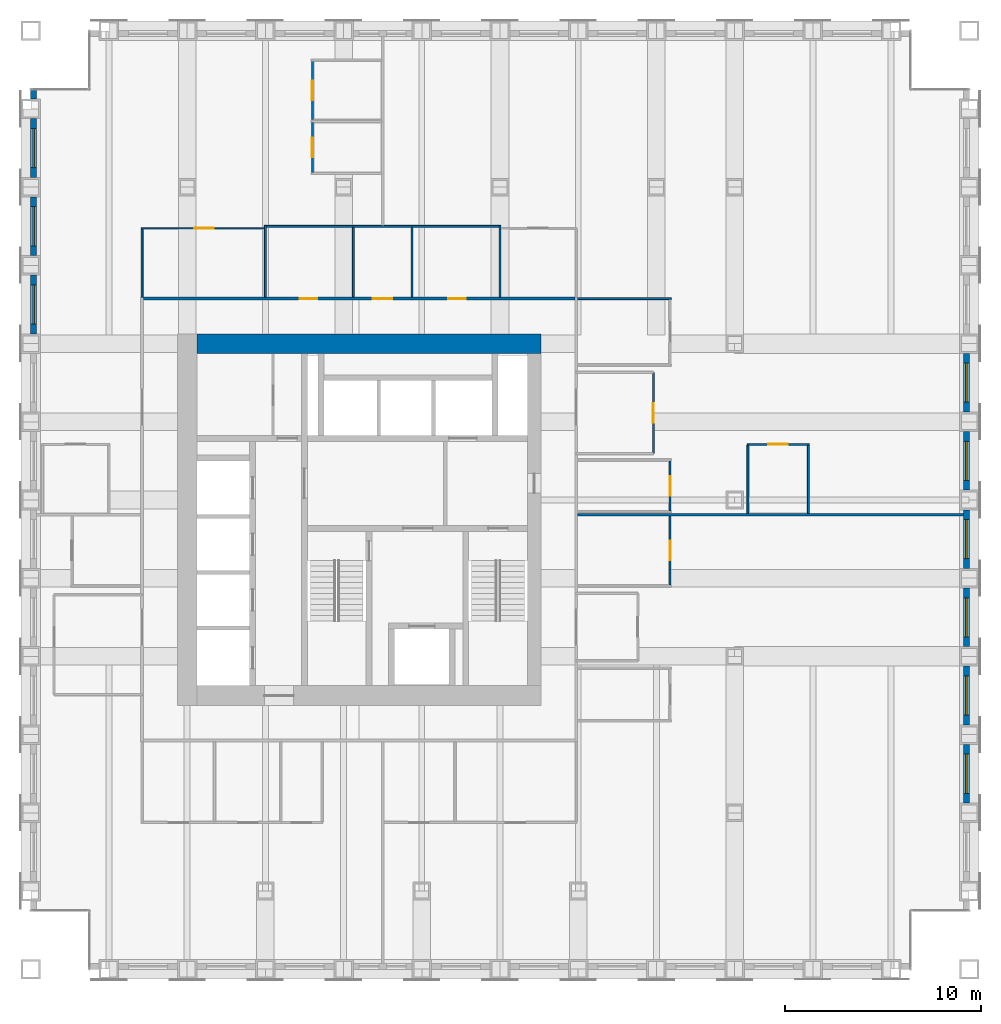
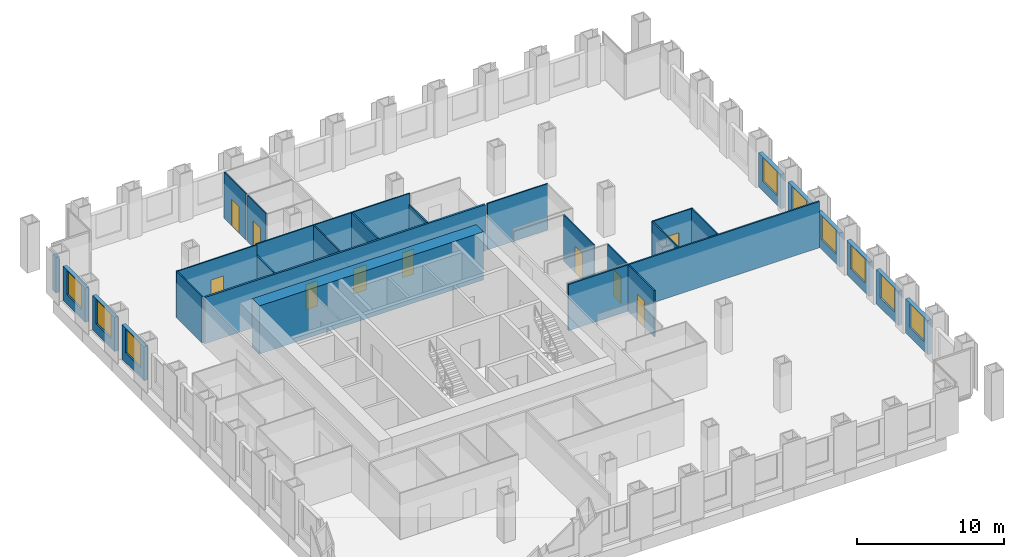
# One storey, part 13 of 16: 29 walls, 10 doors, 9 windows, 19 openings.
"""IFC4 building model written with IfcOpenShell, lengths in metres."""

from ifc_helpers import new_model, si_unit, direction, frame, frame_2d, origin, place, context, subcontext, project, spatial, rectangle, extrude, material, layer, layer_set, type_object, element, fill, save


model = new_model("IFC4")

# Units and contexts
model_context = context("Model", 3, precision=1e-05, world=origin(), true_north=direction((0.0, 1.0)))
body_context = subcontext(model_context, "Body", "Model", "MODEL_VIEW")
ifc_project = project(units=[si_unit("LENGTHUNIT", "METRE"), si_unit("AREAUNIT", "SQUARE_METRE"), si_unit("VOLUMEUNIT", "CUBIC_METRE"), si_unit("PLANEANGLEUNIT", "RADIAN"), si_unit("MASSUNIT", "GRAM", prefix="KILO")], contexts=[model_context])

# Site, building, storey
site_placement = place(None, origin())
site = spatial("IfcSite", under=ifc_project, at=site_placement, CompositionType="ELEMENT")
building_placement = place(site_placement, origin())
building = spatial("IfcBuilding", under=site, at=building_placement, Name="Rimbunsela Tower", CompositionType="ELEMENT")
storey_placement = place(building_placement, frame((0.0, 0.0, 121.39990234375)))
storey = spatial("IfcBuildingStorey", under=building, at=storey_placement, Name="L29", CompositionType="ELEMENT", Elevation=121.39990234375)

# Wall
ifc_material_1 = material(Name="Concrete fc' 80 MPa", Category="concrete")
ifc_layer_1 = layer(ifc_material_1, 1.0)
ifc_layer_set_1 = layer_set([ifc_layer_1], Name="Core wall 1000")
wall_type_1 = type_object("IfcWallType", Name="Core wall 1000", PredefinedType="SHEAR", material=ifc_layer_set_1)
wall_1_placement = place(storey_placement, frame((18.5, 36.0, -0.14990234375), z_axis=(0.0, 0.0, 1.0), x_axis=(1.0, 0.0, 0.0)))
element("IfcWall", 1, at=wall_1_placement, inside=storey, type_object=wall_type_1, Name="Core wall north", PredefinedType="SHEAR", context=body_context, shape_type="SweptSolid", body=[
    extrude(rectangle(XDim=17.60009765625, YDim=1.0, at=frame_2d((8.800048828125, 0.0))), origin(), (0.0, 0.0, 1.0), 4.0),
])

# Wall, opening, door
ifc_material_2 = material(Name="Gypsum board on steel studs", Category="steel")
ifc_layer_2 = layer(ifc_material_2, 0.10009765625)
ifc_layer_set_2 = layer_set([ifc_layer_2], Name="Office partition 100")
wall_type_2 = type_object("IfcWallType", Name="Office partition 100", PredefinedType="PARTITIONING", material=ifc_layer_set_2)
wall_2_placement = place(storey_placement, frame((46.625, 30.85009765625, 0.0), z_axis=(0.0, 0.0, 1.0), x_axis=(1.0, 0.0, 0.0)))
wall_2 = element("IfcWall", 2, at=wall_2_placement, inside=storey, type_object=wall_type_2, Name="Office partition", PredefinedType="PARTITIONING", context=body_context, shape_type="SweptSolid", body=[
    extrude(rectangle(XDim=3.199951171875, YDim=0.10009765625, at=frame_2d((1.60009765625, 0.0))), origin(), (0.0, 0.0, 1.0), 3.85009765625),
])
opening_1_placement = place(wall_2_placement, frame((1.10009765625, 0.0, 0.0)))
opening_1 = element("IfcOpeningElement", 3, at=opening_1_placement, cuts=wall_2, Name="Opening D16", PredefinedType="OPENING", context=body_context, shape_type="SweptSolid", body=[
    extrude(rectangle(XDim=1.0, YDim=2.199951171875, at=frame_2d((0.5, 1.10009765625))), frame((0.0, 0.06005859375, 0.0), z_axis=(0.0, -1.0, 0.0), x_axis=(1.0, 0.0, 0.0)), (0.0, 0.0, 1.0), 0.1201171875),
])
ifc_material_3 = material(Name="Timber door", Category="wood")
door_type_1 = type_object("IfcDoorType", Name="Office door 1000", OperationType="SINGLE_SWING_LEFT", PredefinedType="DOOR", material=ifc_material_3)
door_1_placement = place(opening_1_placement, origin())
door_1 = element("IfcDoor", 4, at=door_1_placement, inside=storey, type_object=door_type_1, Name="Office door", OperationType="SINGLE_SWING_LEFT", OverallHeight=2.199951171875, OverallWidth=1.0, PredefinedType="DOOR", context=body_context, shape_type="SweptSolid", body=[
    extrude(rectangle(XDim=1.0, YDim=2.199951171875, at=frame_2d((0.5, 1.10009765625))), frame((0.0, 0.02490234375, 0.0), z_axis=(0.0, -1.0, 0.0), x_axis=(1.0, 0.0, 0.0)), (0.0, 0.0, 1.0), 0.050048828125),
])
fill(opening_1, door_1)

# Wall
wall_3_placement = place(storey_placement, frame((37.97509765625, 38.300048828125, 0.0), z_axis=(0.0, 0.0, 1.0), x_axis=(1.0, 0.0, 0.0)))
element("IfcWall", 5, at=wall_3_placement, inside=storey, type_object=wall_type_2, Name="Office partition", PredefinedType="PARTITIONING", context=body_context, shape_type="SweptSolid", body=[
    extrude(rectangle(XDim=4.77490234375, YDim=0.10009765625, at=frame_2d((2.387451171875, 0.0))), origin(), (0.0, 0.0, 1.0), 3.85009765625),
])

# Wall, opening, door
wall_4_placement = place(storey_placement, frame((15.64990234375, 41.89990234375, 0.0), z_axis=(0.0, 0.0, 1.0), x_axis=(1.0, 0.0, 0.0)))
wall_4 = element("IfcWall", 6, at=wall_4_placement, inside=storey, type_object=wall_type_2, Name="Office partition", PredefinedType="PARTITIONING", context=body_context, shape_type="SweptSolid", body=[
    extrude(rectangle(XDim=6.300048828125, YDim=0.10009765625, at=frame_2d((3.14990234375, 0.0))), origin(), (0.0, 0.0, 1.0), 3.85009765625),
])
opening_2_placement = place(wall_4_placement, frame((2.699951171875, 0.0, 0.0)))
opening_2 = element("IfcOpeningElement", 7, at=opening_2_placement, cuts=wall_4, Name="Opening D17", PredefinedType="OPENING", context=body_context, shape_type="SweptSolid", body=[
    extrude(rectangle(XDim=1.0, YDim=2.199951171875, at=frame_2d((0.5, 1.10009765625))), frame((0.0, 0.06005859375, 0.0), z_axis=(0.0, -1.0, 0.0), x_axis=(1.0, 0.0, 0.0)), (0.0, 0.0, 1.0), 0.1201171875),
])
ifc_material_4 = material(Name="Glazed aluminium door", Category="aluminium")
door_type_2 = type_object("IfcDoorType", Name="Meeting room door 1000 glazed", OperationType="SINGLE_SWING_RIGHT", PredefinedType="DOOR", material=ifc_material_4)
door_2_placement = place(opening_2_placement, origin())
door_2 = element("IfcDoor", 8, at=door_2_placement, inside=storey, type_object=door_type_2, Name="Meeting room door", OperationType="SINGLE_SWING_RIGHT", OverallHeight=2.199951171875, OverallWidth=1.0, PredefinedType="DOOR", context=body_context, shape_type="SweptSolid", body=[
    extrude(rectangle(XDim=1.0, YDim=2.199951171875, at=frame_2d((0.5, 1.10009765625))), frame((0.0, 0.02490234375, 0.0), z_axis=(0.0, -1.0, 0.0), x_axis=(1.0, 0.0, 0.0)), (0.0, 0.0, 1.0), 0.050048828125),
])
fill(opening_2, door_2)

# Wall
wall_5_placement = place(storey_placement, frame((15.699951171875, 38.375, 0.0), z_axis=(0.0, 0.0, 1.0), x_axis=(0.0, 1.0, 0.0)))
element("IfcWall", 9, at=wall_5_placement, inside=storey, type_object=wall_type_2, Name="Office partition", PredefinedType="PARTITIONING", context=body_context, shape_type="SweptSolid", body=[
    extrude(rectangle(XDim=3.47509765625, YDim=0.10009765625, at=frame_2d((1.737548828125, 0.0))), origin(), (0.0, 0.0, 1.0), 3.85009765625),
])

# Wall, opening, door
wall_6_placement = place(storey_placement, frame((24.39990234375, 44.75, 0.0), z_axis=(0.0, 0.0, 1.0), x_axis=(0.0, 1.0, 0.0)))
wall_6 = element("IfcWall", 10, at=wall_6_placement, inside=storey, type_object=wall_type_2, Name="Office partition", PredefinedType="PARTITIONING", context=body_context, shape_type="SweptSolid", body=[
    extrude(rectangle(XDim=2.550048828125, YDim=0.10009765625, at=frame_2d((1.27490234375, 0.0))), origin(), (0.0, 0.0, 1.0), 3.85009765625),
])
opening_3_placement = place(wall_6_placement, frame((0.77490234375, 0.0, 0.0)))
opening_3 = element("IfcOpeningElement", 11, at=opening_3_placement, cuts=wall_6, Name="Opening D16", PredefinedType="OPENING", context=body_context, shape_type="SweptSolid", body=[
    extrude(rectangle(XDim=1.0, YDim=2.199951171875, at=frame_2d((0.5, 1.10009765625))), frame((0.0, 0.06005859375, 0.0), z_axis=(0.0, -1.0, 0.0), x_axis=(1.0, 0.0, 0.0)), (0.0, 0.0, 1.0), 0.1201171875),
])
door_3_placement = place(opening_3_placement, origin())
door_3 = element("IfcDoor", 12, at=door_3_placement, inside=storey, type_object=door_type_1, Name="Office door", OperationType="SINGLE_SWING_LEFT", OverallHeight=2.199951171875, OverallWidth=1.0, PredefinedType="DOOR", context=body_context, shape_type="SweptSolid", body=[
    extrude(rectangle(XDim=1.0, YDim=2.199951171875, at=frame_2d((0.5, 1.10009765625))), frame((0.0, 0.02490234375, 0.0), z_axis=(0.0, -1.0, 0.0), x_axis=(1.0, 0.0, 0.0)), (0.0, 0.0, 1.0), 0.050048828125),
])
fill(opening_3, door_3)

wall_7_placement = place(storey_placement, frame((24.39990234375, 47.449951171875, 0.0), z_axis=(0.0, 0.0, 1.0), x_axis=(0.0, 1.0, 0.0)))
wall_7 = element("IfcWall", 13, at=wall_7_placement, inside=storey, type_object=wall_type_2, Name="Office partition", PredefinedType="PARTITIONING", context=body_context, shape_type="SweptSolid", body=[
    extrude(rectangle(XDim=3.0, YDim=0.10009765625, at=frame_2d((1.5, 0.0))), origin(), (0.0, 0.0, 1.0), 3.85009765625),
])
opening_4_placement = place(wall_7_placement, frame((1.0, 0.0, 0.0)))
opening_4 = element("IfcOpeningElement", 14, at=opening_4_placement, cuts=wall_7, Name="Opening D16", PredefinedType="OPENING", context=body_context, shape_type="SweptSolid", body=[
    extrude(rectangle(XDim=1.0, YDim=2.199951171875, at=frame_2d((0.5, 1.10009765625))), frame((0.0, 0.06005859375, 0.0), z_axis=(0.0, -1.0, 0.0), x_axis=(1.0, 0.0, 0.0)), (0.0, 0.0, 1.0), 0.1201171875),
])
door_4_placement = place(opening_4_placement, origin())
door_4 = element("IfcDoor", 15, at=door_4_placement, inside=storey, type_object=door_type_1, Name="Office door", OperationType="SINGLE_SWING_LEFT", OverallHeight=2.199951171875, OverallWidth=1.0, PredefinedType="DOOR", context=body_context, shape_type="SweptSolid", body=[
    extrude(rectangle(XDim=1.0, YDim=2.199951171875, at=frame_2d((0.5, 1.10009765625))), frame((0.0, 0.02490234375, 0.0), z_axis=(0.0, -1.0, 0.0), x_axis=(1.0, 0.0, 0.0)), (0.0, 0.0, 1.0), 0.050048828125),
])
fill(opening_4, door_4)

wall_8_placement = place(storey_placement, frame((42.699951171875, 23.64892578125, 0.0), z_axis=(0.0, 0.0, 1.0), x_axis=(0.0, 1.0, 0.0)))
wall_8 = element("IfcWall", 16, at=wall_8_placement, inside=storey, type_object=wall_type_2, Name="Office partition", PredefinedType="PARTITIONING", context=body_context, shape_type="SweptSolid", body=[
    extrude(rectangle(XDim=3.5400390625, YDim=0.10009765625, at=frame_2d((1.77001953125, 0.0))), origin(), (0.0, 0.0, 1.0), 3.85009765625),
])
opening_5_placement = place(wall_8_placement, frame((1.27490234375, 0.0, 0.0)))
opening_5 = element("IfcOpeningElement", 17, at=opening_5_placement, cuts=wall_8, Name="Opening D16", PredefinedType="OPENING", context=body_context, shape_type="SweptSolid", body=[
    extrude(rectangle(XDim=1.0, YDim=2.199951171875, at=frame_2d((0.5, 1.10009765625))), frame((0.0, 0.06005859375, 0.0), z_axis=(0.0, -1.0, 0.0), x_axis=(1.0, 0.0, 0.0)), (0.0, 0.0, 1.0), 0.1201171875),
])
door_5_placement = place(opening_5_placement, origin())
door_5 = element("IfcDoor", 18, at=door_5_placement, inside=storey, type_object=door_type_1, Name="Office door", OperationType="SINGLE_SWING_LEFT", OverallHeight=2.199951171875, OverallWidth=1.0, PredefinedType="DOOR", context=body_context, shape_type="SweptSolid", body=[
    extrude(rectangle(XDim=1.0, YDim=2.199951171875, at=frame_2d((0.5, 1.10009765625))), frame((0.0, 0.02490234375, 0.0), z_axis=(0.0, -1.0, 0.0), x_axis=(1.0, 0.0, 0.0)), (0.0, 0.0, 1.0), 0.050048828125),
])
fill(opening_5, door_5)

wall_9_placement = place(storey_placement, frame((42.699951171875, 27.449951171875, 0.0), z_axis=(0.0, 0.0, 1.0), x_axis=(0.0, 1.0, 0.0)))
wall_9 = element("IfcWall", 19, at=wall_9_placement, inside=storey, type_object=wall_type_2, Name="Office partition", PredefinedType="PARTITIONING", context=body_context, shape_type="SweptSolid", body=[
    extrude(rectangle(XDim=2.550048828125, YDim=0.10009765625, at=frame_2d((1.27490234375, 0.0))), origin(), (0.0, 0.0, 1.0), 3.85009765625),
])
opening_6_placement = place(wall_9_placement, frame((0.77490234375, 0.0, 0.0)))
opening_6 = element("IfcOpeningElement", 20, at=opening_6_placement, cuts=wall_9, Name="Opening D16", PredefinedType="OPENING", context=body_context, shape_type="SweptSolid", body=[
    extrude(rectangle(XDim=1.0, YDim=2.199951171875, at=frame_2d((0.5, 1.10009765625))), frame((0.0, 0.06005859375, 0.0), z_axis=(0.0, -1.0, 0.0), x_axis=(1.0, 0.0, 0.0)), (0.0, 0.0, 1.0), 0.1201171875),
])
door_6_placement = place(opening_6_placement, origin())
door_6 = element("IfcDoor", 21, at=door_6_placement, inside=storey, type_object=door_type_1, Name="Office door", OperationType="SINGLE_SWING_LEFT", OverallHeight=2.199951171875, OverallWidth=1.0, PredefinedType="DOOR", context=body_context, shape_type="SweptSolid", body=[
    extrude(rectangle(XDim=1.0, YDim=2.199951171875, at=frame_2d((0.5, 1.10009765625))), frame((0.0, 0.02490234375, 0.0), z_axis=(0.0, -1.0, 0.0), x_axis=(1.0, 0.0, 0.0)), (0.0, 0.0, 1.0), 0.050048828125),
])
fill(opening_6, door_6)

# Walls
for number, where, z_axis, x_axis, name in (
    (22, (46.675048828125, 27.31005859375, 0.0), (0.0, 0.0, 1.0), (0.0, 1.0, 0.0), "Office partition"),
    (23, (49.77490234375, 27.31005859375, 0.0), (0.0, 0.0, 1.0), (0.0, 1.0, 0.0), "Office partition"),
):
    element("IfcWall", number, at=place(storey_placement, frame(where, z_axis=z_axis, x_axis=x_axis)), inside=storey, type_object=wall_type_2, Name=name, PredefinedType="PARTITIONING", context=body_context, shape_type="SweptSolid", body=[
        extrude(rectangle(XDim=3.489990234375, YDim=0.10009765625, at=frame_2d((1.7451171875, 0.0))), origin(), (0.0, 0.0, 1.0), 3.85009765625),
    ])

# Wall, opening, door
wall_10_placement = place(storey_placement, frame((41.85009765625, 30.3759765625, 0.0), z_axis=(0.0, 0.0, 1.0), x_axis=(0.0, 1.0, 0.0)))
wall_10 = element("IfcWall", 24, at=wall_10_placement, inside=storey, type_object=wall_type_2, Name="Office partition", PredefinedType="PARTITIONING", context=body_context, shape_type="SweptSolid", body=[
    extrude(rectangle(XDim=4.14990234375, YDim=0.10009765625, at=frame_2d((2.074951171875, 0.0))), origin(), (0.0, 0.0, 1.0), 3.85009765625),
])
opening_7_placement = place(wall_10_placement, frame((1.574951171875, 0.0, 0.0)))
opening_7 = element("IfcOpeningElement", 25, at=opening_7_placement, cuts=wall_10, Name="Opening D17", PredefinedType="OPENING", context=body_context, shape_type="SweptSolid", body=[
    extrude(rectangle(XDim=1.0, YDim=2.199951171875, at=frame_2d((0.5, 1.10009765625))), frame((0.0, 0.06005859375, 0.0), z_axis=(0.0, -1.0, 0.0), x_axis=(1.0, 0.0, 0.0)), (0.0, 0.0, 1.0), 0.1201171875),
])
door_7_placement = place(opening_7_placement, origin())
door_7 = element("IfcDoor", 26, at=door_7_placement, inside=storey, type_object=door_type_2, Name="Reception door", OperationType="SINGLE_SWING_RIGHT", OverallHeight=2.199951171875, OverallWidth=1.0, PredefinedType="DOOR", context=body_context, shape_type="SweptSolid", body=[
    extrude(rectangle(XDim=1.0, YDim=2.199951171875, at=frame_2d((0.5, 1.10009765625))), frame((0.0, 0.02490234375, 0.0), z_axis=(0.0, -1.0, 0.0), x_axis=(1.0, 0.0, 0.0)), (0.0, 0.0, 1.0), 0.050048828125),
])
fill(opening_7, door_7)

# Wall, opening, window
ifc_material_5 = material(Name="Precast concrete fc' 35 MPa", Category="concrete")
ifc_layer_3 = layer(ifc_material_5, 0.300048828125)
ifc_layer_set_3 = layer_set([ifc_layer_3], Name="Precast concrete fc' 35 MPa")
wall_type_3 = type_object("IfcWallType", Name="Precast facade panel 300", PredefinedType="ELEMENTEDWALL", material=ifc_layer_set_3)
wall_11_placement = place(storey_placement, frame((57.85009765625, 12.5, 0.0), z_axis=(0.0, 0.0, 1.0), x_axis=(0.0, 1.0, 0.0)))
wall_11 = element("IfcWall", 27, at=wall_11_placement, inside=storey, type_object=wall_type_3, Name="Facade panel E L29", PredefinedType="ELEMENTEDWALL", context=body_context, shape_type="SweptSolid", body=[
    extrude(rectangle(XDim=3.0, YDim=0.300048828125, at=frame_2d((1.5, 0.0))), origin(), (0.0, 0.0, 1.0), 2.85009765625),
])
opening_8_placement = place(wall_11_placement, frame((0.5, 0.0, 0.800048828125)))
opening_8 = element("IfcOpeningElement", 28, at=opening_8_placement, cuts=wall_11, Name="Opening W1", PredefinedType="OPENING", context=body_context, shape_type="SweptSolid", body=[
    extrude(rectangle(XDim=2.0, YDim=2.0, at=frame_2d((1.0, 1.0))), frame((0.0, 0.159912109375, 0.0), z_axis=(0.0, -1.0, 0.0), x_axis=(1.0, 0.0, 0.0)), (0.0, 0.0, 1.0), 0.320068359375),
])
ifc_material_6 = material(Name="Clear glass in aluminium frame", Category="aluminium")
window_type = type_object("IfcWindowType", Name="Window W1 2000x2000", PartitioningType="DOUBLE_PANEL_VERTICAL", PredefinedType="WINDOW", material=ifc_material_6)
window_1_placement = place(opening_8_placement, origin())
window_1 = element("IfcWindow", 29, at=window_1_placement, inside=storey, type_object=window_type, Name="Window L29", OverallHeight=2.0, OverallWidth=2.0, PartitioningType="SINGLE_PANEL", PredefinedType="WINDOW", context=body_context, shape_type="SweptSolid", body=[
    extrude(rectangle(XDim=2.0, YDim=2.0, at=frame_2d((1.0, 1.0))), frame((0.0, 0.030029296875, 0.0), z_axis=(0.0, -1.0, 0.0), x_axis=(1.0, 0.0, 0.0)), (0.0, 0.0, 1.0), 0.06005859375),
])
fill(opening_8, window_1)

wall_12_placement = place(storey_placement, frame((57.85009765625, 16.5, 0.0), z_axis=(0.0, 0.0, 1.0), x_axis=(0.0, 1.0, 0.0)))
wall_12 = element("IfcWall", 30, at=wall_12_placement, inside=storey, type_object=wall_type_3, Name="Facade panel E L29", PredefinedType="ELEMENTEDWALL", context=body_context, shape_type="SweptSolid", body=[
    extrude(rectangle(XDim=3.0, YDim=0.300048828125, at=frame_2d((1.5, 0.0))), origin(), (0.0, 0.0, 1.0), 2.85009765625),
])
opening_9_placement = place(wall_12_placement, frame((0.5, 0.0, 0.800048828125)))
opening_9 = element("IfcOpeningElement", 31, at=opening_9_placement, cuts=wall_12, Name="Opening W1", PredefinedType="OPENING", context=body_context, shape_type="SweptSolid", body=[
    extrude(rectangle(XDim=2.0, YDim=2.0, at=frame_2d((1.0, 1.0))), frame((0.0, 0.159912109375, 0.0), z_axis=(0.0, -1.0, 0.0), x_axis=(1.0, 0.0, 0.0)), (0.0, 0.0, 1.0), 0.320068359375),
])
window_2_placement = place(opening_9_placement, origin())
window_2 = element("IfcWindow", 32, at=window_2_placement, inside=storey, type_object=window_type, Name="Window L29", OverallHeight=2.0, OverallWidth=2.0, PartitioningType="SINGLE_PANEL", PredefinedType="WINDOW", context=body_context, shape_type="SweptSolid", body=[
    extrude(rectangle(XDim=2.0, YDim=2.0, at=frame_2d((1.0, 1.0))), frame((0.0, 0.030029296875, 0.0), z_axis=(0.0, -1.0, 0.0), x_axis=(1.0, 0.0, 0.0)), (0.0, 0.0, 1.0), 0.06005859375),
])
fill(opening_9, window_2)

wall_13_placement = place(storey_placement, frame((57.85009765625, 20.5, 0.0), z_axis=(0.0, 0.0, 1.0), x_axis=(0.0, 1.0, 0.0)))
wall_13 = element("IfcWall", 33, at=wall_13_placement, inside=storey, type_object=wall_type_3, Name="Facade panel E L29", PredefinedType="ELEMENTEDWALL", context=body_context, shape_type="SweptSolid", body=[
    extrude(rectangle(XDim=3.0, YDim=0.300048828125, at=frame_2d((1.5, 0.0))), origin(), (0.0, 0.0, 1.0), 2.85009765625),
])
opening_10_placement = place(wall_13_placement, frame((0.5, 0.0, 0.800048828125)))
opening_10 = element("IfcOpeningElement", 34, at=opening_10_placement, cuts=wall_13, Name="Opening W1", PredefinedType="OPENING", context=body_context, shape_type="SweptSolid", body=[
    extrude(rectangle(XDim=2.0, YDim=2.0, at=frame_2d((1.0, 1.0))), frame((0.0, 0.159912109375, 0.0), z_axis=(0.0, -1.0, 0.0), x_axis=(1.0, 0.0, 0.0)), (0.0, 0.0, 1.0), 0.320068359375),
])
window_3_placement = place(opening_10_placement, origin())
window_3 = element("IfcWindow", 35, at=window_3_placement, inside=storey, type_object=window_type, Name="Window L29", OverallHeight=2.0, OverallWidth=2.0, PartitioningType="SINGLE_PANEL", PredefinedType="WINDOW", context=body_context, shape_type="SweptSolid", body=[
    extrude(rectangle(XDim=2.0, YDim=2.0, at=frame_2d((1.0, 1.0))), frame((0.0, 0.030029296875, 0.0), z_axis=(0.0, -1.0, 0.0), x_axis=(1.0, 0.0, 0.0)), (0.0, 0.0, 1.0), 0.06005859375),
])
fill(opening_10, window_3)

wall_14_placement = place(storey_placement, frame((57.85009765625, 24.5, 0.0), z_axis=(0.0, 0.0, 1.0), x_axis=(0.0, 1.0, 0.0)))
wall_14 = element("IfcWall", 36, at=wall_14_placement, inside=storey, type_object=wall_type_3, Name="Facade panel E L29", PredefinedType="ELEMENTEDWALL", context=body_context, shape_type="SweptSolid", body=[
    extrude(rectangle(XDim=3.0, YDim=0.300048828125, at=frame_2d((1.5, 0.0))), origin(), (0.0, 0.0, 1.0), 2.85009765625),
])
opening_11_placement = place(wall_14_placement, frame((0.5, 0.0, 0.800048828125)))
opening_11 = element("IfcOpeningElement", 37, at=opening_11_placement, cuts=wall_14, Name="Opening W1", PredefinedType="OPENING", context=body_context, shape_type="SweptSolid", body=[
    extrude(rectangle(XDim=2.0, YDim=2.0, at=frame_2d((1.0, 1.0))), frame((0.0, 0.159912109375, 0.0), z_axis=(0.0, -1.0, 0.0), x_axis=(1.0, 0.0, 0.0)), (0.0, 0.0, 1.0), 0.320068359375),
])
window_4_placement = place(opening_11_placement, origin())
window_4 = element("IfcWindow", 38, at=window_4_placement, inside=storey, type_object=window_type, Name="Window L29", OverallHeight=2.0, OverallWidth=2.0, PartitioningType="SINGLE_PANEL", PredefinedType="WINDOW", context=body_context, shape_type="SweptSolid", body=[
    extrude(rectangle(XDim=2.0, YDim=2.0, at=frame_2d((1.0, 1.0))), frame((0.0, 0.030029296875, 0.0), z_axis=(0.0, -1.0, 0.0), x_axis=(1.0, 0.0, 0.0)), (0.0, 0.0, 1.0), 0.06005859375),
])
fill(opening_11, window_4)

wall_15_placement = place(storey_placement, frame((57.85009765625, 28.5, 0.0), z_axis=(0.0, 0.0, 1.0), x_axis=(0.0, 1.0, 0.0)))
wall_15 = element("IfcWall", 39, at=wall_15_placement, inside=storey, type_object=wall_type_3, Name="Facade panel E L29", PredefinedType="ELEMENTEDWALL", context=body_context, shape_type="SweptSolid", body=[
    extrude(rectangle(XDim=3.0, YDim=0.300048828125, at=frame_2d((1.5, 0.0))), origin(), (0.0, 0.0, 1.0), 2.85009765625),
])
opening_12_placement = place(wall_15_placement, frame((0.5, 0.0, 0.800048828125)))
opening_12 = element("IfcOpeningElement", 40, at=opening_12_placement, cuts=wall_15, Name="Opening W1", PredefinedType="OPENING", context=body_context, shape_type="SweptSolid", body=[
    extrude(rectangle(XDim=2.0, YDim=2.0, at=frame_2d((1.0, 1.0))), frame((0.0, 0.159912109375, 0.0), z_axis=(0.0, -1.0, 0.0), x_axis=(1.0, 0.0, 0.0)), (0.0, 0.0, 1.0), 0.320068359375),
])
window_5_placement = place(opening_12_placement, origin())
window_5 = element("IfcWindow", 41, at=window_5_placement, inside=storey, type_object=window_type, Name="Window L29", OverallHeight=2.0, OverallWidth=2.0, PartitioningType="SINGLE_PANEL", PredefinedType="WINDOW", context=body_context, shape_type="SweptSolid", body=[
    extrude(rectangle(XDim=2.0, YDim=2.0, at=frame_2d((1.0, 1.0))), frame((0.0, 0.030029296875, 0.0), z_axis=(0.0, -1.0, 0.0), x_axis=(1.0, 0.0, 0.0)), (0.0, 0.0, 1.0), 0.06005859375),
])
fill(opening_12, window_5)

wall_16_placement = place(storey_placement, frame((57.85009765625, 32.5, 0.0), z_axis=(0.0, 0.0, 1.0), x_axis=(0.0, 1.0, 0.0)))
wall_16 = element("IfcWall", 42, at=wall_16_placement, inside=storey, type_object=wall_type_3, Name="Facade panel E L29", PredefinedType="ELEMENTEDWALL", context=body_context, shape_type="SweptSolid", body=[
    extrude(rectangle(XDim=3.0, YDim=0.300048828125, at=frame_2d((1.5, 0.0))), origin(), (0.0, 0.0, 1.0), 2.85009765625),
])
opening_13_placement = place(wall_16_placement, frame((0.5, 0.0, 0.800048828125)))
opening_13 = element("IfcOpeningElement", 43, at=opening_13_placement, cuts=wall_16, Name="Opening W1", PredefinedType="OPENING", context=body_context, shape_type="SweptSolid", body=[
    extrude(rectangle(XDim=2.0, YDim=2.0, at=frame_2d((1.0, 1.0))), frame((0.0, 0.159912109375, 0.0), z_axis=(0.0, -1.0, 0.0), x_axis=(1.0, 0.0, 0.0)), (0.0, 0.0, 1.0), 0.320068359375),
])
window_6_placement = place(opening_13_placement, origin())
window_6 = element("IfcWindow", 44, at=window_6_placement, inside=storey, type_object=window_type, Name="Window L29", OverallHeight=2.0, OverallWidth=2.0, PartitioningType="SINGLE_PANEL", PredefinedType="WINDOW", context=body_context, shape_type="SweptSolid", body=[
    extrude(rectangle(XDim=2.0, YDim=2.0, at=frame_2d((1.0, 1.0))), frame((0.0, 0.030029296875, 0.0), z_axis=(0.0, -1.0, 0.0), x_axis=(1.0, 0.0, 0.0)), (0.0, 0.0, 1.0), 0.06005859375),
])
fill(opening_13, window_6)

wall_17_placement = place(storey_placement, frame((10.14990234375, 39.5, 0.0), z_axis=(0.0, 0.0, 1.0), x_axis=(0.0, -1.0, 0.0)))
wall_17 = element("IfcWall", 45, at=wall_17_placement, inside=storey, type_object=wall_type_3, Name="Facade panel W L29", PredefinedType="ELEMENTEDWALL", context=body_context, shape_type="SweptSolid", body=[
    extrude(rectangle(XDim=3.0, YDim=0.300048828125, at=frame_2d((1.5, 0.0))), origin(), (0.0, 0.0, 1.0), 2.85009765625),
])
opening_14_placement = place(wall_17_placement, frame((0.5, 0.0, 0.800048828125)))
opening_14 = element("IfcOpeningElement", 46, at=opening_14_placement, cuts=wall_17, Name="Opening W1", PredefinedType="OPENING", context=body_context, shape_type="SweptSolid", body=[
    extrude(rectangle(XDim=2.0, YDim=2.0, at=frame_2d((1.0, 1.0))), frame((0.0, 0.159912109375, 0.0), z_axis=(0.0, -1.0, 0.0), x_axis=(1.0, 0.0, 0.0)), (0.0, 0.0, 1.0), 0.320068359375),
])
window_7_placement = place(opening_14_placement, origin())
window_7 = element("IfcWindow", 47, at=window_7_placement, inside=storey, type_object=window_type, Name="Window L29", OverallHeight=2.0, OverallWidth=2.0, PartitioningType="SINGLE_PANEL", PredefinedType="WINDOW", context=body_context, shape_type="SweptSolid", body=[
    extrude(rectangle(XDim=2.0, YDim=2.0, at=frame_2d((1.0, 1.0))), frame((0.0, 0.030029296875, 0.0), z_axis=(0.0, -1.0, 0.0), x_axis=(1.0, 0.0, 0.0)), (0.0, 0.0, 1.0), 0.06005859375),
])
fill(opening_14, window_7)

wall_18_placement = place(storey_placement, frame((10.14990234375, 43.5, 0.0), z_axis=(0.0, 0.0, 1.0), x_axis=(0.0, -1.0, 0.0)))
wall_18 = element("IfcWall", 48, at=wall_18_placement, inside=storey, type_object=wall_type_3, Name="Facade panel W L29", PredefinedType="ELEMENTEDWALL", context=body_context, shape_type="SweptSolid", body=[
    extrude(rectangle(XDim=3.0, YDim=0.300048828125, at=frame_2d((1.5, 0.0))), origin(), (0.0, 0.0, 1.0), 2.85009765625),
])
opening_15_placement = place(wall_18_placement, frame((0.5, 0.0, 0.800048828125)))
opening_15 = element("IfcOpeningElement", 49, at=opening_15_placement, cuts=wall_18, Name="Opening W1", PredefinedType="OPENING", context=body_context, shape_type="SweptSolid", body=[
    extrude(rectangle(XDim=2.0, YDim=2.0, at=frame_2d((1.0, 1.0))), frame((0.0, 0.159912109375, 0.0), z_axis=(0.0, -1.0, 0.0), x_axis=(1.0, 0.0, 0.0)), (0.0, 0.0, 1.0), 0.320068359375),
])
window_8_placement = place(opening_15_placement, origin())
window_8 = element("IfcWindow", 50, at=window_8_placement, inside=storey, type_object=window_type, Name="Window L29", OverallHeight=2.0, OverallWidth=2.0, PartitioningType="SINGLE_PANEL", PredefinedType="WINDOW", context=body_context, shape_type="SweptSolid", body=[
    extrude(rectangle(XDim=2.0, YDim=2.0, at=frame_2d((1.0, 1.0))), frame((0.0, 0.030029296875, 0.0), z_axis=(0.0, -1.0, 0.0), x_axis=(1.0, 0.0, 0.0)), (0.0, 0.0, 1.0), 0.06005859375),
])
fill(opening_15, window_8)

wall_19_placement = place(storey_placement, frame((10.14990234375, 47.5, 0.0), z_axis=(0.0, 0.0, 1.0), x_axis=(0.0, -1.0, 0.0)))
wall_19 = element("IfcWall", 51, at=wall_19_placement, inside=storey, type_object=wall_type_3, Name="Facade panel W L29", PredefinedType="ELEMENTEDWALL", context=body_context, shape_type="SweptSolid", body=[
    extrude(rectangle(XDim=3.0, YDim=0.300048828125, at=frame_2d((1.5, 0.0))), origin(), (0.0, 0.0, 1.0), 2.85009765625),
])
opening_16_placement = place(wall_19_placement, frame((0.5, 0.0, 0.800048828125)))
opening_16 = element("IfcOpeningElement", 52, at=opening_16_placement, cuts=wall_19, Name="Opening W1", PredefinedType="OPENING", context=body_context, shape_type="SweptSolid", body=[
    extrude(rectangle(XDim=2.0, YDim=2.0, at=frame_2d((1.0, 1.0))), frame((0.0, 0.159912109375, 0.0), z_axis=(0.0, -1.0, 0.0), x_axis=(1.0, 0.0, 0.0)), (0.0, 0.0, 1.0), 0.320068359375),
])
window_9_placement = place(opening_16_placement, origin())
window_9 = element("IfcWindow", 53, at=window_9_placement, inside=storey, type_object=window_type, Name="Window L29", OverallHeight=2.0, OverallWidth=2.0, PartitioningType="SINGLE_PANEL", PredefinedType="WINDOW", context=body_context, shape_type="SweptSolid", body=[
    extrude(rectangle(XDim=2.0, YDim=2.0, at=frame_2d((1.0, 1.0))), frame((0.0, 0.030029296875, 0.0), z_axis=(0.0, -1.0, 0.0), x_axis=(1.0, 0.0, 0.0)), (0.0, 0.0, 1.0), 0.06005859375),
])
fill(opening_16, window_9)

# Wall
wall_20_placement = place(storey_placement, frame((10.14990234375, 48.969970703125, 0.0), z_axis=(0.0, 0.0, 1.0), x_axis=(0.0, -1.0, 0.0)))
element("IfcWall", 54, at=wall_20_placement, inside=storey, type_object=wall_type_3, Name="Facade panel W L29", PredefinedType="ELEMENTEDWALL", context=body_context, shape_type="SweptSolid", body=[
    extrude(rectangle(XDim=0.469970703125, YDim=0.300048828125, at=frame_2d((0.23486328125, 0.0))), origin(), (0.0, 0.0, 1.0), 2.9501953125),
])

# Wall, openings, doors
ifc_material_7 = material(Name="Fire-rated gypsum board on steel studs, EI 60", Category="steel")
ifc_layer_4 = layer(ifc_material_7, 0.14990234375)
ifc_layer_set_4 = layer_set([ifc_layer_4], Name="Rated corridor wall 150")
wall_type_4 = type_object("IfcWallType", Name="Rated corridor wall 150", PredefinedType="PARTITIONING", material=ifc_layer_set_4)
wall_21_placement = place(storey_placement, frame((15.77490234375, 38.300048828125, 0.0), z_axis=(0.0, 0.0, 1.0), x_axis=(1.0, 0.0, 0.0)))
wall_21 = element("IfcWall", 55, at=wall_21_placement, inside=storey, type_object=wall_type_4, Name="Corridor wall north", PredefinedType="PARTITIONING", context=body_context, shape_type="SweptSolid", body=[
    extrude(rectangle(XDim=22.050048828125, YDim=0.14990234375, at=frame_2d((11.02490234375, 0.0))), origin(), (0.0, 0.0, 1.0), 3.85009765625),
])
opening_17_placement = place(wall_21_placement, frame((7.97509765625, 0.0, 0.0)))
opening_17 = element("IfcOpeningElement", 56, at=opening_17_placement, cuts=wall_21, Name="Opening D04", PredefinedType="OPENING", context=body_context, shape_type="SweptSolid", body=[
    extrude(rectangle(XDim=0.89990234375, YDim=2.10009765625, at=frame_2d((0.449951171875, 1.050048828125))), frame((0.0, 0.0849609375, 0.0), z_axis=(0.0, -1.0, 0.0), x_axis=(1.0, 0.0, 0.0)), (0.0, 0.0, 1.0), 0.169921875),
])
opening_18_placement = place(wall_21_placement, frame((11.72509765625, 0.0, 0.0)))
opening_18 = element("IfcOpeningElement", 57, at=opening_18_placement, cuts=wall_21, Name="Opening D05", PredefinedType="OPENING", context=body_context, shape_type="SweptSolid", body=[
    extrude(rectangle(XDim=1.0, YDim=2.10009765625, at=frame_2d((0.5, 1.050048828125))), frame((0.0, 0.0849609375, 0.0), z_axis=(0.0, -1.0, 0.0), x_axis=(1.0, 0.0, 0.0)), (0.0, 0.0, 1.0), 0.169921875),
])
opening_19_placement = place(wall_21_placement, frame((15.574951171875, 0.0, 0.0)))
opening_19 = element("IfcOpeningElement", 58, at=opening_19_placement, cuts=wall_21, Name="Opening D04", PredefinedType="OPENING", context=body_context, shape_type="SweptSolid", body=[
    extrude(rectangle(XDim=0.89990234375, YDim=2.10009765625, at=frame_2d((0.449951171875, 1.050048828125))), frame((0.0, 0.0849609375, 0.0), z_axis=(0.0, -1.0, 0.0), x_axis=(1.0, 0.0, 0.0)), (0.0, 0.0, 1.0), 0.169921875),
])
ifc_material_8 = material(Name="Timber door", Category="wood")
door_type_3 = type_object("IfcDoorType", Name="Accessible WC door 1000", OperationType="SLIDING_TO_LEFT", PredefinedType="DOOR", material=ifc_material_8)
door_8_placement = place(opening_18_placement, origin())
door_8 = element("IfcDoor", 59, at=door_8_placement, inside=storey, type_object=door_type_3, Name="Accessible WC door", OperationType="SLIDING_TO_LEFT", OverallHeight=2.10009765625, OverallWidth=1.0, PredefinedType="DOOR", context=body_context, shape_type="SweptSolid", body=[
    extrude(rectangle(XDim=1.0, YDim=2.10009765625, at=frame_2d((0.5, 1.050048828125))), frame((0.0, 0.02490234375, 0.0), z_axis=(0.0, -1.0, 0.0), x_axis=(1.0, 0.0, 0.0)), (0.0, 0.0, 1.0), 0.050048828125),
])
fill(opening_18, door_8)
ifc_material_9 = material(Name="Timber door", Category="wood")
door_type_4 = type_object("IfcDoorType", Name="Toilet door 900", OperationType="SINGLE_SWING_LEFT", PredefinedType="DOOR", material=ifc_material_9)
door_9_placement = place(opening_17_placement, origin())
door_9 = element("IfcDoor", 60, at=door_9_placement, inside=storey, type_object=door_type_4, Name="Female WC door", OperationType="SINGLE_SWING_LEFT", OverallHeight=2.10009765625, OverallWidth=0.89990234375, PredefinedType="DOOR", context=body_context, shape_type="SweptSolid", body=[
    extrude(rectangle(XDim=0.89990234375, YDim=2.10009765625, at=frame_2d((0.449951171875, 1.050048828125))), frame((0.0, 0.02490234375, 0.0), z_axis=(0.0, -1.0, 0.0), x_axis=(1.0, 0.0, 0.0)), (0.0, 0.0, 1.0), 0.050048828125),
])
fill(opening_17, door_9)
door_10_placement = place(opening_19_placement, origin())
door_10 = element("IfcDoor", 61, at=door_10_placement, inside=storey, type_object=door_type_4, Name="Male WC door", OperationType="SINGLE_SWING_LEFT", OverallHeight=2.10009765625, OverallWidth=0.89990234375, PredefinedType="DOOR", context=body_context, shape_type="SweptSolid", body=[
    extrude(rectangle(XDim=0.89990234375, YDim=2.10009765625, at=frame_2d((0.449951171875, 1.050048828125))), frame((0.0, 0.02490234375, 0.0), z_axis=(0.0, -1.0, 0.0), x_axis=(1.0, 0.0, 0.0)), (0.0, 0.0, 1.0), 0.050048828125),
])
fill(opening_19, door_10)

# Walls
ifc_material_10 = material(Name="Gypsum board on steel studs", Category="steel")
ifc_layer_5 = layer(ifc_material_10, 0.1201171875)
ifc_layer_set_5 = layer_set([ifc_layer_5], Name="Tenancy partition 120")
wall_type_5 = type_object("IfcWallType", Name="Tenancy partition 120", PredefinedType="PARTITIONING", material=ifc_layer_set_5)
wall_22_placement = place(storey_placement, frame((37.97509765625, 27.25, 0.0), z_axis=(0.0, 0.0, 1.0), x_axis=(1.0, 0.0, 0.0)))
element("IfcWall", 62, at=wall_22_placement, inside=storey, type_object=wall_type_5, Name="Tenancy partition", PredefinedType="PARTITIONING", context=body_context, shape_type="SweptSolid", body=[
    extrude(rectangle(XDim=19.724853515625, YDim=0.1201171875, at=frame_2d((9.8623046875, 0.0))), origin(), (0.0, 0.0, 1.0), 3.85009765625),
])
ifc_material_11 = material(Name="Concrete blockwork", Category="masonry")
ifc_layer_6 = layer(ifc_material_11, 0.10009765625)
ifc_layer_set_6 = layer_set([ifc_layer_6], Name="Toilet partition 100")
wall_type_6 = type_object("IfcWallType", Name="Toilet partition 100", PredefinedType="PARTITIONING", material=ifc_layer_set_6)
for number, where, z_axis, x_axis, name in (
    (63, (22.0, 38.375, 0.0), (0.0, 0.0, 1.0), (0.0, 1.0, 0.0), "Toilet block wall west"),
    (64, (34.0, 38.375, 0.0), (0.0, 0.0, 1.0), (0.0, 1.0, 0.0), "Toilet block wall east"),
):
    element("IfcWall", number, at=place(storey_placement, frame(where, z_axis=z_axis, x_axis=x_axis)), inside=storey, type_object=wall_type_6, Name=name, PredefinedType="PARTITIONING", context=body_context, shape_type="SweptSolid", body=[
        extrude(rectangle(XDim=3.675048828125, YDim=0.10009765625, at=frame_2d((1.83740234375, 0.0))), origin(), (0.0, 0.0, 1.0), 2.9501953125),
    ])
wall_23_placement = place(storey_placement, frame((21.949951171875, 42.0, 0.0), z_axis=(0.0, 0.0, 1.0), x_axis=(1.0, 0.0, 0.0)))
element("IfcWall", 65, at=wall_23_placement, inside=storey, type_object=wall_type_6, Name="Toilet block wall north", PredefinedType="PARTITIONING", context=body_context, shape_type="SweptSolid", body=[
    extrude(rectangle(XDim=12.10009765625, YDim=0.10009765625, at=frame_2d((6.050048828125, 0.0))), origin(), (0.0, 0.0, 1.0), 3.85009765625),
])
for number, where, z_axis, x_axis, name in (
    (66, (26.5, 38.375, 0.0), (0.0, 0.0, 1.0), (0.0, 1.0, 0.0), "Toilet partition"),
    (67, (29.5, 38.375, 0.0), (0.0, 0.0, 1.0), (0.0, 1.0, 0.0), "Toilet partition"),
):
    element("IfcWall", number, at=place(storey_placement, frame(where, z_axis=z_axis, x_axis=x_axis)), inside=storey, type_object=wall_type_6, Name=name, PredefinedType="PARTITIONING", context=body_context, shape_type="SweptSolid", body=[
        extrude(rectangle(XDim=3.574951171875, YDim=0.10009765625, at=frame_2d((1.78759765625, 0.0))), origin(), (0.0, 0.0, 1.0), 3.85009765625),
    ])

save(model, "model.ifc")
